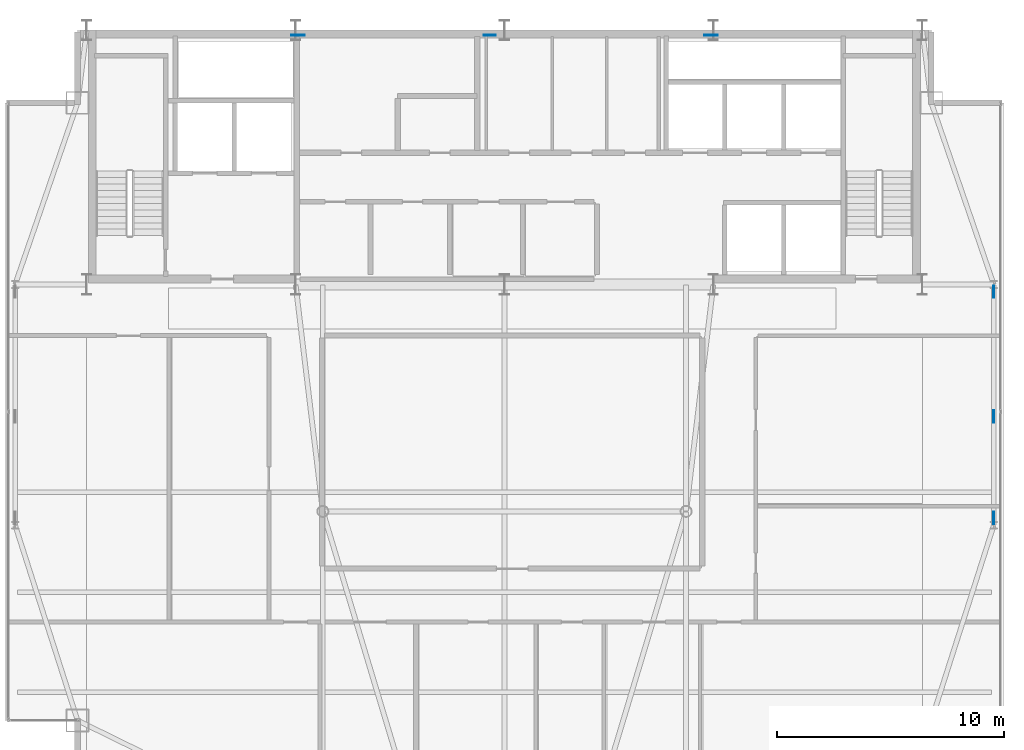
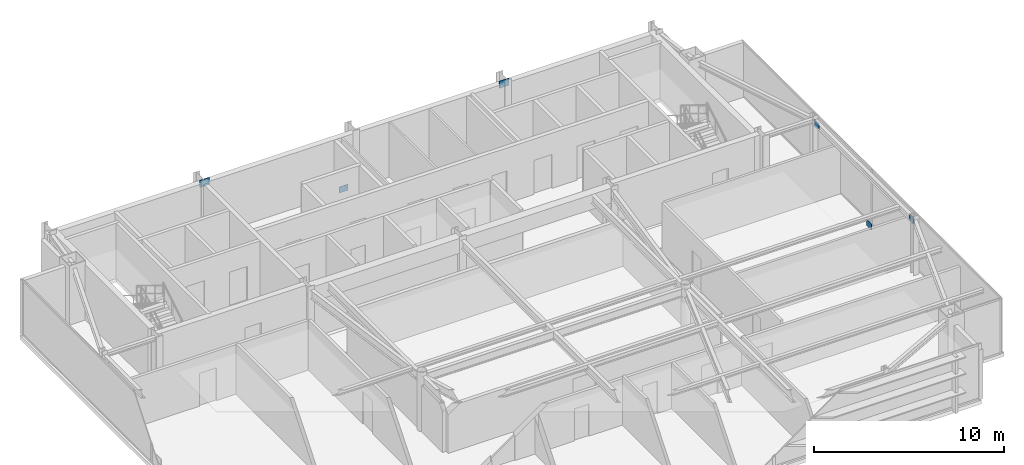
# One storey, part 20 of 24: 6 plates.
"""IFC4 building model written with IfcOpenShell, lengths in metres."""

from ifc_helpers import new_model, si_unit, direction, frame, origin, origin_2d, place, context, subcontext, project, spatial, rectangle, extrude, source, transform, mapped, material, layer, layer_set, type_object, type_shapes, element, save


model = new_model("IFC4")

# Units and contexts
model_context = context("Model", 3, precision=1e-05, world=origin(), true_north=direction((0.0, 1.0)))
body_context = subcontext(model_context, "Body", "Model", "MODEL_VIEW")
ifc_project = project(units=[si_unit("LENGTHUNIT", "METRE"), si_unit("AREAUNIT", "SQUARE_METRE"), si_unit("VOLUMEUNIT", "CUBIC_METRE"), si_unit("PLANEANGLEUNIT", "RADIAN"), si_unit("MASSUNIT", "GRAM", prefix="KILO")], contexts=[model_context])

# Site, building, storey
site_placement = place(None, origin())
site = spatial("IfcSite", under=ifc_project, at=site_placement, CompositionType="ELEMENT")
building_placement = place(site_placement, origin())
building = spatial("IfcBuilding", under=site, at=building_placement, Name="Varnel Quay Broadcast Tower", CompositionType="ELEMENT")
storey_placement = place(building_placement, frame((0.0, 0.0, 292.60009765625)))
storey = spatial("IfcBuildingStorey", under=building, at=storey_placement, Name="L73", CompositionType="ELEMENT", Elevation=292.60009765625)

# Plates
ifc_material = material(Name="Structural Steel CSA G40.21 350WT", Category="steel")
ifc_layer_1 = layer(ifc_material, 0.031982421875, Name="Structural Steel CSA G40.21 350WT")
ifc_layer_set_1 = layer_set([ifc_layer_1], Name="Structural Steel CSA G40.21 350WT")
plate_type_1 = type_object("IfcPlateType", Name="Plate_EndCap", PredefinedType="USERDEFINED", material=ifc_layer_set_1)
shared_shape_1 = source(origin(), body_context, "Body", "SweptSolid", [
    extrude(rectangle(XDim=0.5400390625, YDim=0.031982421875, at=origin_2d()), origin(), (0.0, 0.0, 1.0), 0.3798828125),
])
type_shapes(plate_type_1, [shared_shape_1])
for number, where, z_axis, x_axis, name in (
    (1, (33.3486328125, 46.580078125, -0.056396484375), (0.0, 0.0, 1.0), (1.0, 0.0, 0.0), "Zone 5 Mega-Brace N-CT3 Diag B2 End Connection Plate P0"),
    (2, (55.550048828125, 35.287109375, 3.124267578125), (0.0, 0.0, 1.0), (0.0, 1.0, 0.0), "Zone 5 Mega-Brace E-FT3 Diag A End Connection Plate P1"),
    (3, (55.550048828125, 29.787841796875, 0.0380859375), (0.0, 0.0, 1.0), (0.0, 1.0, 0.0), "Zone 5 Mega-Brace E-FT3 Diag B2 End Connection Plate P0"),
    (4, (55.550048828125, 25.312744140625, 3.124267578125), (0.0, 0.0, 1.0), (0.0, 1.0, 0.0), "Zone 5 Mega-Brace E-FT3 Diag B2 End Connection Plate P1"),
):
    element("IfcPlate", number, at=place(storey_placement, frame(where, z_axis=z_axis, x_axis=x_axis)), inside=storey, type_object=plate_type_1, Name=name, ObjectType="CAP_PLATE", PredefinedType="USERDEFINED", context=body_context, shape_type="MappedRepresentation", body=[
        mapped(shared_shape_1, transform((0.0, 0.0, 0.0), x_axis=(1.0, 0.0, 0.0), y_axis=(0.0, 1.0, 0.0), z_axis=(0.0, 0.0, 1.0), scale=1.0)),
    ])
ifc_layer_2 = layer(ifc_material, 0.0400390625, Name="Structural Steel CSA G40.21 350WT")
ifc_layer_set_2 = layer_set([ifc_layer_2], Name="Structural Steel CSA G40.21 350WT")
plate_type_2 = type_object("IfcPlateType", Name="Plate_EmbedPlate", PredefinedType="USERDEFINED", material=ifc_layer_set_2)
shared_shape_2 = source(origin(), body_context, "Body", "SweptSolid", [
    extrude(rectangle(XDim=0.60009765625, YDim=0.0400390625, at=origin_2d()), origin(), (0.0, 0.0, 1.0), 0.449951171875),
])
type_shapes(plate_type_2, [shared_shape_2])
for number, where, z_axis, x_axis, name in (
    (5, (43.08837890625, 46.580078125, 3.2607421875), (0.0, 0.0, 1.0), (1.0, 0.0, 0.0), "Zone 5 Mega-Brace N-CT3 Diag A Wall Cast-In Embed Plate P1"),
    (6, (24.91162109375, 46.580078125, 3.2607421875), (0.0, 0.0, 1.0), (1.0, 0.0, 0.0), "Zone 5 Mega-Brace N-CT3 Diag B2 Wall Cast-In Embed Plate P1"),
):
    element("IfcPlate", number, at=place(storey_placement, frame(where, z_axis=z_axis, x_axis=x_axis)), inside=storey, type_object=plate_type_2, Name=name, ObjectType="EMBED_PLATE", PredefinedType="USERDEFINED", context=body_context, shape_type="MappedRepresentation", body=[
        mapped(shared_shape_2, transform((0.0, 0.0, 0.0), x_axis=(1.0, 0.0, 0.0), y_axis=(0.0, 1.0, 0.0), z_axis=(0.0, 0.0, 1.0), scale=1.0)),
    ])

save(model, "model.ifc")
